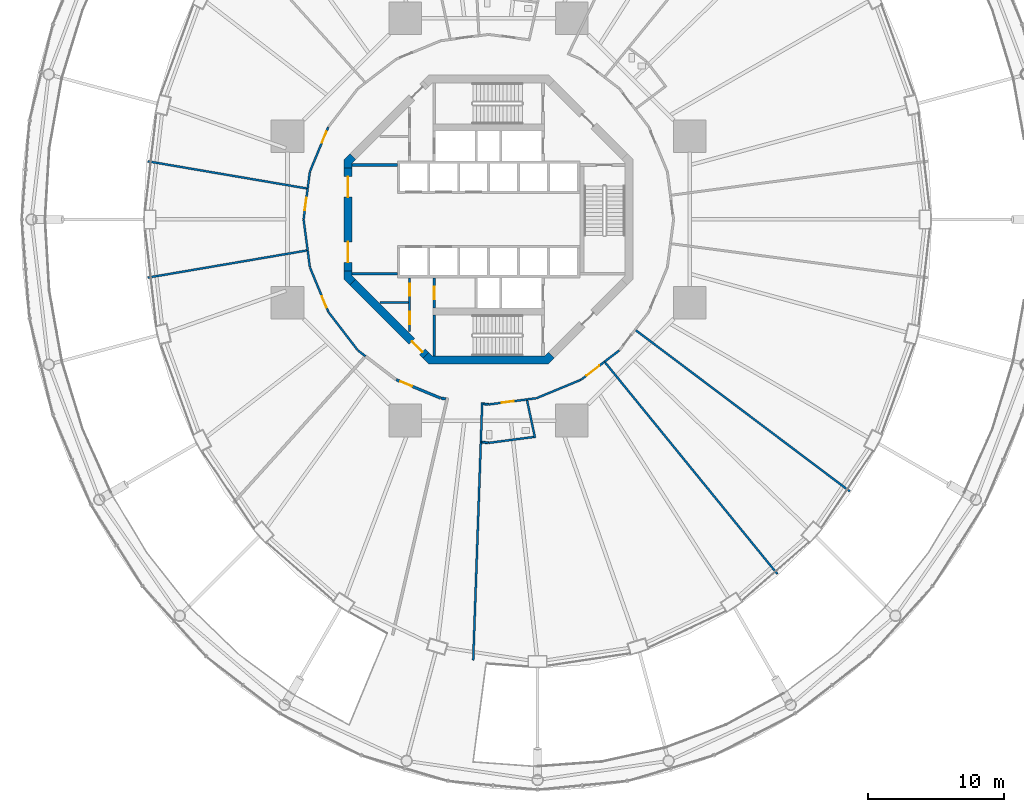
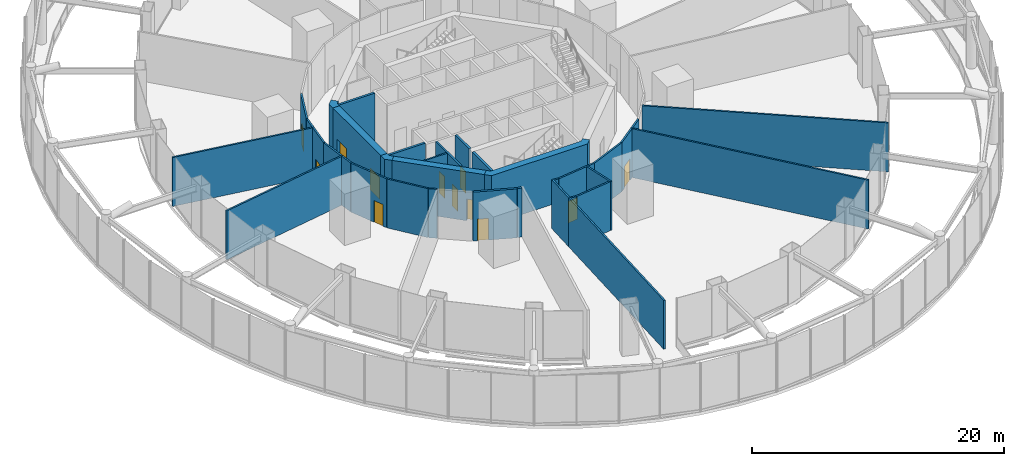
# One storey, part 44 of 52: 36 walls, 12 doors, 12 openings.
"""IFC4 building model written with IfcOpenShell, lengths in metres."""

from ifc_helpers import new_model, si_unit, direction, frame, frame_2d, origin, place, context, subcontext, project, spatial, polyline, rectangle, outline, extrude, material, layer, layer_set, type_object, element, fill, save


model = new_model("IFC4")

# Units and contexts
model_context = context("Model", 3, precision=1e-05, world=origin(), true_north=direction((0.0, 1.0)))
body_context = subcontext(model_context, "Body", "Model", "MODEL_VIEW")
ifc_project = project(units=[si_unit("LENGTHUNIT", "METRE"), si_unit("AREAUNIT", "SQUARE_METRE"), si_unit("VOLUMEUNIT", "CUBIC_METRE"), si_unit("PLANEANGLEUNIT", "RADIAN"), si_unit("MASSUNIT", "GRAM", prefix="KILO")], contexts=[model_context])

# Site, building, storey
site_placement = place(None, origin())
site = spatial("IfcSite", under=ifc_project, at=site_placement, CompositionType="ELEMENT")
building_placement = place(site_placement, origin())
building = spatial("IfcBuilding", under=site, at=building_placement, Name="Nagisa Residences", CompositionType="ELEMENT")
storey_placement = place(building_placement, frame((0.0, 0.0, 22.0)))
storey = spatial("IfcBuildingStorey", under=building, at=storey_placement, Name="L04", CompositionType="ELEMENT", Elevation=22.0)

# Wall, openings, doors
ifc_material_1 = material(Name="Gypsum board on steel studs", Category="steel")
ifc_layer_1 = layer(ifc_material_1, 0.14990234375)
ifc_layer_set_1 = layer_set([ifc_layer_1], Name="Core partition 150")
wall_type_1 = type_object("IfcWallType", Name="Core partition 150", PredefinedType="PARTITIONING", material=ifc_layer_set_1)
wall_1_placement = place(storey_placement, frame((-5.800048828125, -8.22705078125, 0.0), z_axis=(0.0, 0.0, 1.0), x_axis=(0.0, 1.0, 0.0)))
wall_1 = element("IfcWall", 1, at=wall_1_placement, inside=storey, type_object=wall_type_1, Name="wall:L04:SWp", PredefinedType="PARTITIONING", context=body_context, shape_type="SweptSolid", body=[
    extrude(rectangle(XDim=3.927001953125, YDim=0.14990234375, at=frame_2d((1.96337890625, 0.0))), origin(), (0.0, 0.0, 1.0), 4.739990234375),
])
opening_1_placement = place(wall_1_placement, frame((2.614501953125, 0.0, 0.0)))
opening_1 = element("IfcOpeningElement", 2, at=opening_1_placement, cuts=wall_1, Name="Opening L04-C14", PredefinedType="OPENING", context=body_context, shape_type="SweptSolid", body=[
    extrude(rectangle(XDim=0.89990234375, YDim=2.10009765625, at=frame_2d((0.449951171875, 1.050048828125))), frame((0.0, 0.0849609375, 0.0), z_axis=(0.0, -1.0, 0.0), x_axis=(1.0, 0.0, 0.0)), (0.0, 0.0, 1.0), 0.169921875),
])
opening_2_placement = place(wall_1_placement, frame((0.53857421875, 0.0, 0.0)))
opening_2 = element("IfcOpeningElement", 3, at=opening_2_placement, cuts=wall_1, Name="Opening L04-C15", PredefinedType="OPENING", context=body_context, shape_type="SweptSolid", body=[
    extrude(rectangle(XDim=0.89990234375, YDim=2.10009765625, at=frame_2d((0.449951171875, 1.050048828125))), frame((0.0, 0.0849609375, 0.0), z_axis=(0.0, -1.0, 0.0), x_axis=(1.0, 0.0, 0.0)), (0.0, 0.0, 1.0), 0.169921875),
])
ifc_material_2 = material(Name="Steel fire door", Category="steel")
door_type_1 = type_object("IfcDoorType", Name="Fire door EI30 900x2100 single swing", OperationType="NOTDEFINED", PredefinedType="DOOR", material=ifc_material_2)
door_1_placement = place(opening_1_placement, origin())
door_1 = element("IfcDoor", 4, at=door_1_placement, inside=storey, type_object=door_type_1, Name="Cleaner store door L04", OperationType="SINGLE_SWING_RIGHT", OverallHeight=2.10009765625, OverallWidth=0.89990234375, PredefinedType="DOOR", context=body_context, shape_type="SweptSolid", body=[
    extrude(rectangle(XDim=0.89990234375, YDim=2.10009765625, at=frame_2d((0.449951171875, 1.050048828125))), frame((0.0, 0.02490234375, 0.0), z_axis=(0.0, -1.0, 0.0), x_axis=(1.0, 0.0, 0.0)), (0.0, 0.0, 1.0), 0.050048828125),
])
fill(opening_1, door_1)
door_2_placement = place(opening_2_placement, origin())
door_2 = element("IfcDoor", 5, at=door_2_placement, inside=storey, type_object=door_type_1, Name="Package room door L04", OperationType="SINGLE_SWING_RIGHT", OverallHeight=2.10009765625, OverallWidth=0.89990234375, PredefinedType="DOOR", context=body_context, shape_type="SweptSolid", body=[
    extrude(rectangle(XDim=0.89990234375, YDim=2.10009765625, at=frame_2d((0.449951171875, 1.050048828125))), frame((0.0, 0.02490234375, 0.0), z_axis=(0.0, -1.0, 0.0), x_axis=(1.0, 0.0, 0.0)), (0.0, 0.0, 1.0), 0.050048828125),
])
fill(opening_2, door_2)

# Walls
wall_2_placement = place(storey_placement, frame((-8.0009765625, -6.10009765625, 0.0), z_axis=(0.0, 0.0, 1.0), x_axis=(1.0, 0.0, 0.0)))
element("IfcWall", 6, at=wall_2_placement, inside=storey, type_object=wall_type_1, Name="wall:L04:SWq", PredefinedType="PARTITIONING", context=body_context, shape_type="SweptSolid", body=[
    extrude(rectangle(XDim=2.1259765625, YDim=0.14990234375, at=frame_2d((1.06298828125, 0.0))), origin(), (0.0, 0.0, 1.0), 4.739990234375),
])
ifc_material_3 = material(Name="Gypsum board on steel studs", Category="steel")
ifc_layer_2 = layer(ifc_material_3, 0.199951171875)
ifc_layer_set_2 = layer_set([ifc_layer_2], Name="Core partition 200")
wall_type_2 = type_object("IfcWallType", Name="Core partition 200", PredefinedType="PARTITIONING", material=ifc_layer_set_2)
for number, where, z_axis, x_axis, name in (
    (7, (-10.024658203125, -4.0, 0.0), (0.0, 0.0, 1.0), (1.0, 0.0, 0.0), "wall:L04:PSW"),
    (8, (-10.024658203125, 4.0, 0.0), (0.0, 0.0, 1.0), (1.0, 0.0, 0.0), "wall:L04:PNW"),
):
    element("IfcWall", number, at=place(storey_placement, frame(where, z_axis=z_axis, x_axis=x_axis)), inside=storey, type_object=wall_type_2, Name=name, PredefinedType="PARTITIONING", context=body_context, shape_type="SweptSolid", body=[
        extrude(rectangle(XDim=3.32470703125, YDim=0.199951171875, at=frame_2d((1.662353515625, 0.0))), origin(), (0.0, 0.0, 1.0), 4.739990234375),
    ])

# Wall, openings, doors
ifc_material_4 = material(Name="Concrete C60", Category="concrete")
ifc_layer_3 = layer(ifc_material_4, 0.60009765625)
ifc_layer_set_3 = layer_set([ifc_layer_3], Name="Core shear wall 600")
wall_type_3 = type_object("IfcWallType", Name="Core shear wall 600", PredefinedType="SHEAR", material=ifc_layer_set_3)
wall_3_placement = place(storey_placement, frame((-10.32470703125, 3.80078125, 0.0), z_axis=(0.0, 0.0, 1.0), x_axis=(0.0, -1.0, 0.0)))
wall_3 = element("IfcWall", 9, at=wall_3_placement, inside=storey, type_object=wall_type_3, Name="wall:L04:core:flat4", PredefinedType="SHEAR", context=body_context, shape_type="SweptSolid", body=[
    extrude(rectangle(XDim=7.6015625, YDim=0.60009765625, at=frame_2d((3.80078125, 0.0))), origin(), (0.0, 0.0, 1.0), 4.739990234375),
])
opening_3_placement = place(wall_3_placement, frame((0.65087890625, 0.0, 0.0)))
opening_3 = element("IfcOpeningElement", 10, at=opening_3_placement, cuts=wall_3, Name="Opening L04-C19", PredefinedType="OPENING", context=body_context, shape_type="SweptSolid", body=[
    extrude(rectangle(XDim=1.5, YDim=2.10009765625, at=frame_2d((0.75, 1.050048828125))), frame((0.0, 0.31005859375, 0.0), z_axis=(0.0, -1.0, 0.0), x_axis=(1.0, 0.0, 0.0)), (0.0, 0.0, 1.0), 0.6201171875),
])
opening_4_placement = place(wall_3_placement, frame((5.450927734375, 0.0, 0.0)))
opening_4 = element("IfcOpeningElement", 11, at=opening_4_placement, cuts=wall_3, Name="Opening L04-C20", PredefinedType="OPENING", context=body_context, shape_type="SweptSolid", body=[
    extrude(rectangle(XDim=1.5, YDim=2.10009765625, at=frame_2d((0.75, 1.050048828125))), frame((0.0, 0.31005859375, 0.0), z_axis=(0.0, -1.0, 0.0), x_axis=(1.0, 0.0, 0.0)), (0.0, 0.0, 1.0), 0.6201171875),
])
ifc_material_5 = material(Name="Steel fire door", Category="steel")
door_type_2 = type_object("IfcDoorType", Name="Fire door EI60 1500x2100 double door single swing", OperationType="DOUBLE_DOOR_SINGLE_SWING", PredefinedType="DOOR", material=ifc_material_5)
door_3_placement = place(opening_3_placement, origin())
door_3 = element("IfcDoor", 12, at=door_3_placement, inside=storey, type_object=door_type_2, Name="Lift lobby door L04 1", OperationType="DOUBLE_DOOR_SINGLE_SWING", OverallHeight=2.10009765625, OverallWidth=1.5, PredefinedType="DOOR", context=body_context, shape_type="SweptSolid", body=[
    extrude(rectangle(XDim=1.5, YDim=2.10009765625, at=frame_2d((0.75, 1.050048828125))), frame((0.0, 0.02490234375, 0.0), z_axis=(0.0, -1.0, 0.0), x_axis=(1.0, 0.0, 0.0)), (0.0, 0.0, 1.0), 0.050048828125),
])
fill(opening_3, door_3)
door_4_placement = place(opening_4_placement, origin())
door_4 = element("IfcDoor", 13, at=door_4_placement, inside=storey, type_object=door_type_2, Name="Lift lobby door L04 2", OperationType="DOUBLE_DOOR_SINGLE_SWING", OverallHeight=2.10009765625, OverallWidth=1.5, PredefinedType="DOOR", context=body_context, shape_type="SweptSolid", body=[
    extrude(rectangle(XDim=1.5, YDim=2.10009765625, at=frame_2d((0.75, 1.050048828125))), frame((0.0, 0.02490234375, 0.0), z_axis=(0.0, -1.0, 0.0), x_axis=(1.0, 0.0, 0.0)), (0.0, 0.0, 1.0), 0.050048828125),
])
fill(opening_4, door_4)

# Wall, opening, door
wall_4_placement = place(storey_placement, frame((-9.98828125, -4.613037109375, 0.0), z_axis=(0.0, 0.0, 1.0), x_axis=(0.707106781187, -0.707106781187, 0.0)))
wall_4 = element("IfcWall", 14, at=wall_4_placement, inside=storey, type_object=wall_type_3, Name="wall:L04:core:flat5", PredefinedType="SHEAR", context=body_context, shape_type="SweptSolid", body=[
    extrude(rectangle(XDim=7.601806640625, YDim=0.60009765625, at=frame_2d((3.80078125, 0.0))), origin(), (0.0, 0.0, 1.0), 4.739990234375),
])
opening_5_placement = place(wall_4_placement, frame((6.15087890625, 0.0, 0.0)))
opening_5 = element("IfcOpeningElement", 15, at=opening_5_placement, cuts=wall_4, Name="Opening L04-C22", PredefinedType="OPENING", context=body_context, shape_type="SweptSolid", body=[
    extrude(rectangle(XDim=1.10009765625, YDim=2.10009765625, at=frame_2d((0.550048828125, 1.050048828125))), frame((0.0, 0.31005859375, 0.0), z_axis=(0.0, -1.0, 0.0), x_axis=(1.0, 0.0, 0.0)), (0.0, 0.0, 1.0), 0.6201171875),
])
ifc_material_6 = material(Name="Steel fire door", Category="steel")
door_type_3 = type_object("IfcDoorType", Name="Fire door EI60 1100x2100 single swing", OperationType="NOTDEFINED", PredefinedType="DOOR", material=ifc_material_6)
door_5_placement = place(opening_5_placement, origin())
door_5 = element("IfcDoor", 16, at=door_5_placement, inside=storey, type_object=door_type_3, Name="Housekeeping lobby door L04", OperationType="SINGLE_SWING_LEFT", OverallHeight=2.10009765625, OverallWidth=1.10009765625, PredefinedType="DOOR", context=body_context, shape_type="SweptSolid", body=[
    extrude(rectangle(XDim=1.10009765625, YDim=2.10009765625, at=frame_2d((0.550048828125, 1.050048828125))), frame((0.0, 0.02490234375, 0.0), z_axis=(0.0, -1.0, 0.0), x_axis=(1.0, 0.0, 0.0)), (0.0, 0.0, 1.0), 0.050048828125),
])
fill(opening_5, door_5)

# Walls
wall_5_placement = place(storey_placement, origin())
element("IfcWall", 17, at=wall_5_placement, inside=storey, type_object=wall_type_3, Name="wall:L04:core:pier4", PredefinedType="SHEAR", context=body_context, shape_type="SweptSolid", body=[
    extrude(outline(polyline([(-10.62451171875, -3.80078125), (-10.024658203125, -3.80078125), (-10.024658203125, -4.15234375), (-9.776123046875, -4.40087890625), (-10.200439453125, -4.8251953125), (-10.62451171875, -4.40087890625), (-10.62451171875, -3.80078125)])), origin(), (0.0, 0.0, 1.0), 4.739990234375),
])
wall_6_placement = place(storey_placement, origin())
element("IfcWall", 18, at=wall_6_placement, inside=storey, type_object=wall_type_3, Name="wall:L04:core:pier3", PredefinedType="SHEAR", context=body_context, shape_type="SweptSolid", body=[
    extrude(outline(polyline([(-10.200439453125, 4.8251953125), (-9.776123046875, 4.40087890625), (-10.024658203125, 4.15234375), (-10.024658203125, 3.80078125), (-10.62451171875, 3.80078125), (-10.62451171875, 4.40087890625), (-10.200439453125, 4.8251953125)])), origin(), (0.0, 0.0, 1.0), 4.739990234375),
])
wall_7_placement = place(storey_placement, origin())
element("IfcWall", 19, at=wall_7_placement, inside=storey, type_object=wall_type_3, Name="wall:L04:core:flat6", PredefinedType="SHEAR", context=body_context, shape_type="SweptSolid", body=[
    extrude(outline(polyline([(-4.15234375, -10.024658203125), (4.15234375, -10.024658203125), (4.40087890625, -9.776123046875), (4.8251953125, -10.200439453125), (4.40087890625, -10.62451171875), (-4.40087890625, -10.62451171875), (-4.8251953125, -10.200439453125), (-4.40087890625, -9.776123046875), (-4.15234375, -10.024658203125)])), origin(), (0.0, 0.0, 1.0), 4.739990234375),
])

# Wall, opening, door
ifc_material_7 = material(Name="Concrete C60", Category="concrete")
ifc_layer_4 = layer(ifc_material_7, 0.199951171875)
ifc_layer_set_4 = layer_set([ifc_layer_4], Name="Lift shaft wall 200")
wall_type_4 = type_object("IfcWallType", Name="Lift shaft wall 200", PredefinedType="SOLIDWALL", material=ifc_layer_set_4)
wall_8_placement = place(storey_placement, frame((-4.0, -6.5, 0.0), z_axis=(0.0, 0.0, 1.0), x_axis=(0.0, 1.0, 0.0)))
wall_8 = element("IfcWall", 20, at=wall_8_placement, inside=storey, type_object=wall_type_4, Name="wall:L04:Sb4", PredefinedType="SOLIDWALL", context=body_context, shape_type="SweptSolid", body=[
    extrude(rectangle(XDim=2.199951171875, YDim=0.199951171875, at=frame_2d((1.10009765625, 0.0))), origin(), (0.0, 0.0, 1.0), 4.739990234375),
])
opening_6_placement = place(wall_8_placement, frame((0.64990234375, 0.0, 0.0)))
opening_6 = element("IfcOpeningElement", 21, at=opening_6_placement, cuts=wall_8, Name="Opening L04-C16", PredefinedType="OPENING", context=body_context, shape_type="SweptSolid", body=[
    extrude(rectangle(XDim=0.89990234375, YDim=2.10009765625, at=frame_2d((0.449951171875, 1.050048828125))), frame((0.0, 0.10986328125, 0.0), z_axis=(0.0, -1.0, 0.0), x_axis=(1.0, 0.0, 0.0)), (0.0, 0.0, 1.0), 0.219970703125),
])
door_6_placement = place(opening_6_placement, frame((0.89990234375, 0.0, 0.0), x_axis=(-1.0, 0.0, 0.0)))
door_6 = element("IfcDoor", 22, at=door_6_placement, inside=storey, type_object=door_type_1, Name="Refuse room door L04", OperationType="SINGLE_SWING_LEFT", OverallHeight=2.10009765625, OverallWidth=0.89990234375, PredefinedType="DOOR", context=body_context, shape_type="SweptSolid", body=[
    extrude(rectangle(XDim=0.89990234375, YDim=2.10009765625, at=frame_2d((0.449951171875, 1.050048828125))), frame((0.0, 0.02490234375, 0.0), z_axis=(0.0, -1.0, 0.0), x_axis=(1.0, 0.0, 0.0)), (0.0, 0.0, 1.0), 0.050048828125),
])
fill(opening_6, door_6)

ifc_material_8 = material(Name="Gypsum board on steel studs", Category="steel")
ifc_layer_5 = layer(ifc_material_8, 0.199951171875)
ifc_layer_set_5 = layer_set([ifc_layer_5], Name="Plant room wall EI120 200")
wall_type_5 = type_object("IfcWallType", Name="Plant room wall EI120 200", PredefinedType="PARTITIONING", material=ifc_layer_set_5)
wall_9_placement = place(storey_placement, frame((-3.533935546875, -13.130859375, 0.0), z_axis=(0.0, 0.0, 1.0), x_axis=(-0.92386297064, 0.382723413813, 0.0)))
wall_9 = element("IfcWall", 23, at=wall_9_placement, inside=storey, type_object=wall_type_5, Name="wall:L04:am062", PredefinedType="PARTITIONING", context=body_context, shape_type="SweptSolid", body=[
    extrude(rectangle(XDim=3.52001953125, YDim=0.199951171875, at=frame_2d((1.760009765625, 0.0))), origin(), (0.0, 0.0, 1.0), 4.739990234375),
])
opening_7_placement = place(wall_9_placement, frame((2.277587890625, 0.0, 0.0)))
opening_7 = element("IfcOpeningElement", 24, at=opening_7_placement, cuts=wall_9, Name="Opening L04-A10", PredefinedType="OPENING", context=body_context, shape_type="SweptSolid", body=[
    extrude(rectangle(XDim=0.89990234375, YDim=2.10009765625, at=frame_2d((0.449951171875, 1.050048828125))), frame((0.0, 0.10986328125, 0.0), z_axis=(0.0, -1.0, 0.0), x_axis=(1.0, 0.0, 0.0)), (0.0, 0.0, 1.0), 0.219970703125),
])
ifc_material_9 = material(Name="Steel fire door", Category="steel")
door_type_4 = type_object("IfcDoorType", Name="Fire door EI120 900x2100 single swing", OperationType="NOTDEFINED", PredefinedType="DOOR", material=ifc_material_9)
door_7_placement = place(opening_7_placement, origin())
door_7 = element("IfcDoor", 25, at=door_7_placement, inside=storey, type_object=door_type_4, Name="Services plant room door", OperationType="SINGLE_SWING_RIGHT", OverallHeight=2.10009765625, OverallWidth=0.89990234375, PredefinedType="DOOR", context=body_context, shape_type="SweptSolid", body=[
    extrude(rectangle(XDim=0.89990234375, YDim=2.10009765625, at=frame_2d((0.449951171875, 1.050048828125))), frame((0.0, 0.02490234375, 0.0), z_axis=(0.0, -1.0, 0.0), x_axis=(1.0, 0.0, 0.0)), (0.0, 0.0, 1.0), 0.050048828125),
])
fill(opening_7, door_7)

# Wall
wall_10_placement = place(storey_placement, frame((-3.146728515625, -13.185791015625, 0.0), z_axis=(0.0, 0.0, 1.0), x_axis=(-0.991456595727, 0.130437029976, 0.0)))
element("IfcWall", 26, at=wall_10_placement, inside=storey, type_object=wall_type_5, Name="wall:L04:am063", PredefinedType="PARTITIONING", context=body_context, shape_type="SweptSolid", body=[
    extrude(rectangle(XDim=0.361328125, YDim=0.199951171875, at=frame_2d((0.1806640625, 0.0))), origin(), (0.0, 0.0, 1.0), 4.739990234375),
])

# Wall, opening, door
ifc_material_10 = material(Name="Gypsum board on steel studs", Category="steel")
ifc_layer_6 = layer(ifc_material_10, 0.14990234375)
ifc_layer_set_6 = layer_set([ifc_layer_6], Name="Room partition EI60 150")
wall_type_6 = type_object("IfcWallType", Name="Room partition EI60 150", PredefinedType="PARTITIONING", material=ifc_layer_set_6)
wall_11_placement = place(storey_placement, frame((-13.598388671875, 0.01171875, 0.0), z_axis=(0.0, 0.0, 1.0), x_axis=(0.130457285505, 0.991453930679, 0.0)))
wall_11 = element("IfcWall", 27, at=wall_11_placement, inside=storey, type_object=wall_type_6, Name="wall:L04:am000", PredefinedType="PARTITIONING", context=body_context, shape_type="SweptSolid", body=[
    extrude(rectangle(XDim=2.277587890625, YDim=0.14990234375, at=frame_2d((1.138671875, 0.0))), origin(), (0.0, 0.0, 1.0), 4.739990234375),
])
opening_8_placement = place(wall_11_placement, frame((0.682861328125, 0.0, 0.0)))
opening_8 = element("IfcOpeningElement", 28, at=opening_8_placement, cuts=wall_11, Name="Opening L04-A08", PredefinedType="OPENING", context=body_context, shape_type="SweptSolid", body=[
    extrude(rectangle(XDim=0.89990234375, YDim=2.10009765625, at=frame_2d((0.449951171875, 1.050048828125))), frame((0.0, 0.0849609375, 0.0), z_axis=(0.0, -1.0, 0.0), x_axis=(1.0, 0.0, 0.0)), (0.0, 0.0, 1.0), 0.169921875),
])
door_8_placement = place(opening_8_placement, origin())
door_8 = element("IfcDoor", 29, at=door_8_placement, inside=storey, type_object=door_type_1, Name="Study room door", OperationType="SINGLE_SWING_RIGHT", OverallHeight=2.10009765625, OverallWidth=0.89990234375, PredefinedType="DOOR", context=body_context, shape_type="SweptSolid", body=[
    extrude(rectangle(XDim=0.89990234375, YDim=2.10009765625, at=frame_2d((0.449951171875, 1.050048828125))), frame((0.0, 0.02490234375, 0.0), z_axis=(0.0, -1.0, 0.0), x_axis=(1.0, 0.0, 0.0)), (0.0, 0.0, 1.0), 0.050048828125),
])
fill(opening_8, door_8)

# Walls
wall_12_placement = place(storey_placement, frame((-13.375244140625, -2.282470703125, 0.0), z_axis=(0.0, 0.0, 1.0), x_axis=(-0.985753347153, -0.168197320361, 0.0)))
element("IfcWall", 30, at=wall_12_placement, inside=storey, type_object=wall_type_6, Name="wall:L04:am001", PredefinedType="PARTITIONING", context=body_context, shape_type="SweptSolid", body=[
    extrude(rectangle(XDim=11.84716796875, YDim=0.14990234375, at=frame_2d((5.923583984375, 0.0))), origin(), (0.0, 0.0, 1.0), 4.739990234375),
])
wall_13_placement = place(storey_placement, frame((-13.30126953125, -2.269775390625, 0.0), z_axis=(0.0, 0.0, 1.0), x_axis=(-0.130457285505, 0.991453930679, 0.0)))
element("IfcWall", 31, at=wall_13_placement, inside=storey, type_object=wall_type_6, Name="wall:L04:am002", PredefinedType="PARTITIONING", context=body_context, shape_type="SweptSolid", body=[
    extrude(rectangle(XDim=2.277587890625, YDim=0.14990234375, at=frame_2d((1.138671875, 0.0))), origin(), (0.0, 0.0, 1.0), 4.739990234375),
])
wall_14_placement = place(storey_placement, frame((-13.375244140625, 2.282470703125, 0.0), z_axis=(0.0, 0.0, 1.0), x_axis=(-0.985753347153, 0.168197320361, 0.0)))
element("IfcWall", 32, at=wall_14_placement, inside=storey, type_object=wall_type_6, Name="wall:L04:am003", PredefinedType="PARTITIONING", context=body_context, shape_type="SweptSolid", body=[
    extrude(rectangle(XDim=11.84716796875, YDim=0.14990234375, at=frame_2d((5.923583984375, 0.0))), origin(), (0.0, 0.0, 1.0), 4.739990234375),
])
for number, where, z_axis, x_axis, name in (
    (33, (-13.30126953125, 2.269775390625, 0.0), (0.0, 0.0, 1.0), (0.130575867104, 0.991438320285, 0.0), "wall:L04:am004"),
    (34, (-13.13818359375, -3.508056640625, 0.0), (0.0, 0.0, 1.0), (-0.130575867104, 0.991438320285, 0.0), "wall:L04:am005"),
):
    element("IfcWall", number, at=place(storey_placement, frame(where, z_axis=z_axis, x_axis=x_axis)), inside=storey, type_object=wall_type_6, Name=name, PredefinedType="PARTITIONING", context=body_context, shape_type="SweptSolid", body=[
        extrude(rectangle(XDim=1.2490234375, YDim=0.14990234375, at=frame_2d((0.62451171875, 0.0))), origin(), (0.0, 0.0, 1.0), 4.739990234375),
    ])

# Wall, opening, door
wall_15_placement = place(storey_placement, frame((-13.132080078125, 3.53076171875, 0.0), z_axis=(0.0, 0.0, 1.0), x_axis=(0.382677866108, 0.923881838111, 0.0)))
wall_15 = element("IfcWall", 35, at=wall_15_placement, inside=storey, type_object=wall_type_6, Name="wall:L04:am006", PredefinedType="PARTITIONING", context=body_context, shape_type="SweptSolid", body=[
    extrude(rectangle(XDim=3.52685546875, YDim=0.14990234375, at=frame_2d((1.763427734375, 0.0))), origin(), (0.0, 0.0, 1.0), 4.739990234375),
])
opening_9_placement = place(wall_15_placement, frame((2.281005859375, 0.0, 0.0)))
opening_9 = element("IfcOpeningElement", 36, at=opening_9_placement, cuts=wall_15, Name="Opening L04-A07", PredefinedType="OPENING", context=body_context, shape_type="SweptSolid", body=[
    extrude(rectangle(XDim=0.89990234375, YDim=2.10009765625, at=frame_2d((0.449951171875, 1.050048828125))), frame((0.0, 0.0849609375, 0.0), z_axis=(0.0, -1.0, 0.0), x_axis=(1.0, 0.0, 0.0)), (0.0, 0.0, 1.0), 0.169921875),
])
door_9_placement = place(opening_9_placement, origin())
door_9 = element("IfcDoor", 37, at=door_9_placement, inside=storey, type_object=door_type_1, Name="Art studio door", OperationType="SINGLE_SWING_LEFT", OverallHeight=2.10009765625, OverallWidth=0.89990234375, PredefinedType="DOOR", context=body_context, shape_type="SweptSolid", body=[
    extrude(rectangle(XDim=0.89990234375, YDim=2.10009765625, at=frame_2d((0.449951171875, 1.050048828125))), frame((0.0, 0.02490234375, 0.0), z_axis=(0.0, -1.0, 0.0), x_axis=(1.0, 0.0, 0.0)), (0.0, 0.0, 1.0), 0.050048828125),
])
fill(opening_9, door_9)

wall_16_placement = place(storey_placement, frame((-11.782470703125, -6.7890625, 0.0), z_axis=(0.0, 0.0, 1.0), x_axis=(-0.382677866108, 0.923881838111, 0.0)))
wall_16 = element("IfcWall", 38, at=wall_16_placement, inside=storey, type_object=wall_type_6, Name="wall:L04:am007", PredefinedType="PARTITIONING", context=body_context, shape_type="SweptSolid", body=[
    extrude(rectangle(XDim=3.52685546875, YDim=0.14990234375, at=frame_2d((1.763427734375, 0.0))), origin(), (0.0, 0.0, 1.0), 4.739990234375),
])
opening_10_placement = place(wall_16_placement, frame((0.345703125, 0.0, 0.0)))
opening_10 = element("IfcOpeningElement", 39, at=opening_10_placement, cuts=wall_16, Name="Opening L04-A09", PredefinedType="OPENING", context=body_context, shape_type="SweptSolid", body=[
    extrude(rectangle(XDim=0.89990234375, YDim=2.10009765625, at=frame_2d((0.449951171875, 1.050048828125))), frame((0.0, 0.0849609375, 0.0), z_axis=(0.0, -1.0, 0.0), x_axis=(1.0, 0.0, 0.0)), (0.0, 0.0, 1.0), 0.169921875),
])
door_10_placement = place(opening_10_placement, origin())
door_10 = element("IfcDoor", 40, at=door_10_placement, inside=storey, type_object=door_type_1, Name="Wine cellar door", OperationType="SINGLE_SWING_LEFT", OverallHeight=2.10009765625, OverallWidth=0.89990234375, PredefinedType="DOOR", context=body_context, shape_type="SweptSolid", body=[
    extrude(rectangle(XDim=0.89990234375, YDim=2.10009765625, at=frame_2d((0.449951171875, 1.050048828125))), frame((0.0, 0.02490234375, 0.0), z_axis=(0.0, -1.0, 0.0), x_axis=(1.0, 0.0, 0.0)), (0.0, 0.0, 1.0), 0.050048828125),
])
fill(opening_10, door_10)

# Walls
wall_17_placement = place(storey_placement, frame((-9.6240234375, -9.607177734375, 0.0), z_axis=(0.0, 0.0, 1.0), x_axis=(-0.608736710054, 0.793372307201, 0.0)))
element("IfcWall", 41, at=wall_17_placement, inside=storey, type_object=wall_type_6, Name="wall:L04:am009", PredefinedType="PARTITIONING", context=body_context, shape_type="SweptSolid", body=[
    extrude(rectangle(XDim=3.526611328125, YDim=0.14990234375, at=frame_2d((1.76318359375, 0.0))), origin(), (0.0, 0.0, 1.0), 4.739990234375),
])
wall_18_placement = place(storey_placement, frame((-9.05029296875, -10.05126953125, 0.0), z_axis=(0.0, 0.0, 1.0), x_axis=(-0.793399175387, 0.608701690893, 0.0)))
element("IfcWall", 42, at=wall_18_placement, inside=storey, type_object=wall_type_6, Name="wall:L04:am011", PredefinedType="PARTITIONING", context=body_context, shape_type="SweptSolid", body=[
    extrude(rectangle(XDim=0.701904296875, YDim=0.14990234375, at=frame_2d((0.35107421875, 0.0))), origin(), (0.0, 0.0, 1.0), 4.739990234375),
])
wall_19_placement = place(storey_placement, frame((-0.57080078125, -16.34912109375, 0.0), z_axis=(0.0, 0.0, 1.0), x_axis=(-0.034915122528, -0.999390281231, 0.0)))
element("IfcWall", 43, at=wall_19_placement, inside=storey, type_object=wall_type_6, Name="wall:L04:am021", PredefinedType="PARTITIONING", context=body_context, shape_type="SweptSolid", body=[
    extrude(rectangle(XDim=16.0615234375, YDim=0.14990234375, at=frame_2d((8.03076171875, 0.0))), origin(), (0.0, 0.0, 1.0), 4.739990234375),
])
wall_20_placement = place(storey_placement, frame((-0.469970703125, -13.46240234375, 0.0), z_axis=(0.0, 0.0, 1.0), x_axis=(-0.034907670303, -0.999390541557, 0.0)))
element("IfcWall", 44, at=wall_20_placement, inside=storey, type_object=wall_type_6, Name="wall:L04:am022", PredefinedType="PARTITIONING", context=body_context, shape_type="SweptSolid", body=[
    extrude(rectangle(XDim=2.888427734375, YDim=0.14990234375, at=frame_2d((1.4443359375, 0.0))), origin(), (0.0, 0.0, 1.0), 4.739990234375),
])
wall_21_placement = place(storey_placement, frame((-0.01171875, -16.422607421875, 0.0), z_axis=(0.0, 0.0, 1.0), x_axis=(-0.991457697021, 0.130428658731, 0.0)))
element("IfcWall", 45, at=wall_21_placement, inside=storey, type_object=wall_type_6, Name="wall:L04:am023", PredefinedType="PARTITIONING", context=body_context, shape_type="SweptSolid", body=[
    extrude(rectangle(XDim=0.488525390625, YDim=0.14990234375, at=frame_2d((0.244140625, 0.0))), origin(), (0.0, 0.0, 1.0), 4.739990234375),
])
wall_22_placement = place(storey_placement, frame((-0.01171875, -13.598388671875, 0.0), z_axis=(0.0, 0.0, 1.0), x_axis=(-0.991467089631, 0.130357240609, 0.0)))
element("IfcWall", 46, at=wall_22_placement, inside=storey, type_object=wall_type_6, Name="wall:L04:am024", PredefinedType="PARTITIONING", context=body_context, shape_type="SweptSolid", body=[
    extrude(rectangle(XDim=0.3896484375, YDim=0.14990234375, at=frame_2d((0.19482421875, 0.0))), origin(), (0.0, 0.0, 1.0), 4.739990234375),
])

# Wall, opening, door
wall_23_placement = place(storey_placement, frame((2.81201171875, -13.229736328125, 0.0), z_axis=(0.0, 0.0, 1.0), x_axis=(-0.991445467051, -0.130521591565, 0.0)))
wall_23 = element("IfcWall", 47, at=wall_23_placement, inside=storey, type_object=wall_type_6, Name="wall:L04:am027", PredefinedType="PARTITIONING", context=body_context, shape_type="SweptSolid", body=[
    extrude(rectangle(XDim=2.824462890625, YDim=0.14990234375, at=frame_2d((1.412109375, 0.0))), origin(), (0.0, 0.0, 1.0), 4.739990234375),
])
opening_11_placement = place(wall_23_placement, frame((0.96826171875, 0.0, 0.0)))
opening_11 = element("IfcOpeningElement", 48, at=opening_11_placement, cuts=wall_23, Name="Opening L04-A11", PredefinedType="OPENING", context=body_context, shape_type="SweptSolid", body=[
    extrude(rectangle(XDim=0.89990234375, YDim=2.10009765625, at=frame_2d((0.449951171875, 1.050048828125))), frame((0.0, 0.0849609375, 0.0), z_axis=(0.0, -1.0, 0.0), x_axis=(1.0, 0.0, 0.0)), (0.0, 0.0, 1.0), 0.169921875),
])
door_11_placement = place(opening_11_placement, origin())
door_11 = element("IfcDoor", 49, at=door_11_placement, inside=storey, type_object=door_type_1, Name="WC door", OperationType="SINGLE_SWING_LEFT", OverallHeight=2.10009765625, OverallWidth=0.89990234375, PredefinedType="DOOR", context=body_context, shape_type="SweptSolid", body=[
    extrude(rectangle(XDim=0.89990234375, YDim=2.10009765625, at=frame_2d((0.449951171875, 1.050048828125))), frame((0.0, 0.02490234375, 0.0), z_axis=(0.0, -1.0, 0.0), x_axis=(1.0, 0.0, 0.0)), (0.0, 0.0, 1.0), 0.050048828125),
])
fill(opening_11, door_11)

# Walls
wall_24_placement = place(storey_placement, frame((2.82763671875, -13.303466796875, 0.0), z_axis=(0.0, 0.0, 1.0), x_axis=(0.207920091501, -0.978145815076, 0.0)))
element("IfcWall", 50, at=wall_24_placement, inside=storey, type_object=wall_type_6, Name="wall:L04:am028", PredefinedType="PARTITIONING", context=body_context, shape_type="SweptSolid", body=[
    extrude(rectangle(XDim=2.80859375, YDim=0.14990234375, at=frame_2d((1.404296875, 0.0))), origin(), (0.0, 0.0, 1.0), 4.739990234375),
])
wall_25_placement = place(storey_placement, frame((3.3212890625, -15.98681640625, 0.0), z_axis=(0.0, 0.0, 1.0), x_axis=(-0.991441844339, -0.130549106827, 0.0)))
element("IfcWall", 51, at=wall_25_placement, inside=storey, type_object=wall_type_6, Name="wall:L04:am030", PredefinedType="PARTITIONING", context=body_context, shape_type="SweptSolid", body=[
    extrude(rectangle(XDim=3.338134765625, YDim=0.14990234375, at=frame_2d((1.6689453125, 0.0))), origin(), (0.0, 0.0, 1.0), 4.739990234375),
])
wall_26_placement = place(storey_placement, frame((3.508056640625, -13.13818359375, 0.0), z_axis=(0.0, 0.0, 1.0), x_axis=(-0.991460212813, -0.130409533429, 0.0)))
element("IfcWall", 52, at=wall_26_placement, inside=storey, type_object=wall_type_6, Name="wall:L04:am031", PredefinedType="PARTITIONING", context=body_context, shape_type="SweptSolid", body=[
    extrude(rectangle(XDim=0.7021484375, YDim=0.14990234375, at=frame_2d((0.35107421875, 0.0))), origin(), (0.0, 0.0, 1.0), 4.739990234375),
])
wall_27_placement = place(storey_placement, frame((6.7890625, -11.782470703125, 0.0), z_axis=(0.0, 0.0, 1.0), x_axis=(-0.923881838111, -0.382677866108, 0.0)))
element("IfcWall", 53, at=wall_27_placement, inside=storey, type_object=wall_type_6, Name="wall:L04:am034", PredefinedType="PARTITIONING", context=body_context, shape_type="SweptSolid", body=[
    extrude(rectangle(XDim=3.52685546875, YDim=0.14990234375, at=frame_2d((1.763427734375, 0.0))), origin(), (0.0, 0.0, 1.0), 4.739990234375),
])

# Wall, opening, door
wall_28_placement = place(storey_placement, frame((8.519287109375, -10.458740234375, 0.0), z_axis=(0.0, 0.0, 1.0), x_axis=(-0.793372937326, -0.608735888805, 0.0)))
wall_28 = element("IfcWall", 54, at=wall_28_placement, inside=storey, type_object=wall_type_6, Name="wall:L04:am036", PredefinedType="PARTITIONING", context=body_context, shape_type="SweptSolid", body=[
    extrude(rectangle(XDim=2.1552734375, YDim=0.14990234375, at=frame_2d((1.07763671875, 0.0))), origin(), (0.0, 0.0, 1.0), 4.739990234375),
])
opening_12_placement = place(wall_28_placement, frame((0.4833984375, 0.0, 0.0)))
opening_12 = element("IfcOpeningElement", 55, at=opening_12_placement, cuts=wall_28, Name="Opening L04-A12", PredefinedType="OPENING", context=body_context, shape_type="SweptSolid", body=[
    extrude(rectangle(XDim=1.199951171875, YDim=2.10009765625, at=frame_2d((0.60009765625, 1.050048828125))), frame((0.0, 0.0849609375, 0.0), z_axis=(0.0, -1.0, 0.0), x_axis=(1.0, 0.0, 0.0)), (0.0, 0.0, 1.0), 0.169921875),
])
ifc_material_11 = material(Name="Steel fire door", Category="steel")
door_type_5 = type_object("IfcDoorType", Name="Fire door EI30 1200x2100 single swing", OperationType="NOTDEFINED", PredefinedType="DOOR", material=ifc_material_11)
door_12_placement = place(opening_12_placement, frame((1.199951171875, 0.0, 0.0), x_axis=(-1.0, 0.0, 0.0)))
door_12 = element("IfcDoor", 56, at=door_12_placement, inside=storey, type_object=door_type_5, Name="Indoor play hall door", OperationType="SINGLE_SWING_LEFT", OverallHeight=2.10009765625, OverallWidth=1.199951171875, PredefinedType="DOOR", context=body_context, shape_type="SweptSolid", body=[
    extrude(rectangle(XDim=1.199951171875, YDim=2.10009765625, at=frame_2d((0.60009765625, 1.050048828125))), frame((0.0, 0.02490234375, 0.0), z_axis=(0.0, -1.0, 0.0), x_axis=(1.0, 0.0, 0.0)), (0.0, 0.0, 1.0), 0.050048828125),
])
fill(opening_12, door_12)

# Walls
wall_29_placement = place(storey_placement, frame((8.566650390625, -10.51708984375, 0.0), z_axis=(0.0, 0.0, 1.0), x_axis=(0.631550170727, -0.775335012658, 0.0)))
element("IfcWall", 57, at=wall_29_placement, inside=storey, type_object=wall_type_6, Name="wall:L04:am037", PredefinedType="PARTITIONING", context=body_context, shape_type="SweptSolid", body=[
    extrude(rectangle(XDim=20.05126953125, YDim=0.14990234375, at=frame_2d((10.025634765625, 0.0))), origin(), (0.0, 0.0, 1.0), 4.739990234375),
])
wall_30_placement = place(storey_placement, frame((9.607177734375, -9.6240234375, 0.0), z_axis=(0.0, 0.0, 1.0), x_axis=(-0.793371316762, -0.6087380009, 0.0)))
element("IfcWall", 58, at=wall_30_placement, inside=storey, type_object=wall_type_6, Name="wall:L04:am040", PredefinedType="PARTITIONING", context=body_context, shape_type="SweptSolid", body=[
    extrude(rectangle(XDim=1.371337890625, YDim=0.14990234375, at=frame_2d((0.685546875, 0.0))), origin(), (0.0, 0.0, 1.0), 4.739990234375),
])
wall_31_placement = place(storey_placement, frame((10.83349609375, -8.154052734375, 0.0), z_axis=(0.0, 0.0, 1.0), x_axis=(0.798984754133, -0.601351280586, 0.0)))
element("IfcWall", 59, at=wall_31_placement, inside=storey, type_object=wall_type_6, Name="wall:L04:am045", PredefinedType="PARTITIONING", context=body_context, shape_type="SweptSolid", body=[
    extrude(rectangle(XDim=19.673828125, YDim=0.14990234375, at=frame_2d((9.8369140625, 0.0))), origin(), (0.0, 0.0, 1.0), 4.739990234375),
])
ifc_material_12 = material(Name="Concrete C60", Category="concrete")
ifc_layer_7 = layer(ifc_material_12, 0.199951171875)
ifc_layer_set_7 = layer_set([ifc_layer_7], Name="Stair enclosure wall 200")
wall_type_7 = type_object("IfcWallType", Name="Stair enclosure wall 200", PredefinedType="SOLIDWALL", material=ifc_layer_set_7)
wall_32_placement = place(storey_placement, origin())
element("IfcWall", 60, at=wall_32_placement, inside=storey, type_object=wall_type_7, Name="wall:L04:SS_w", PredefinedType="SOLIDWALL", context=body_context, shape_type="SweptSolid", body=[
    extrude(outline(polyline([(-3.89990234375, -10.024658203125), (-4.10009765625, -10.024658203125), (-4.10009765625, -7.024658203125), (-3.89990234375, -7.024658203125), (-3.89990234375, -10.024658203125)])), origin(), (0.0, 0.0, 1.0), 4.739990234375),
])

save(model, "model.ifc")
